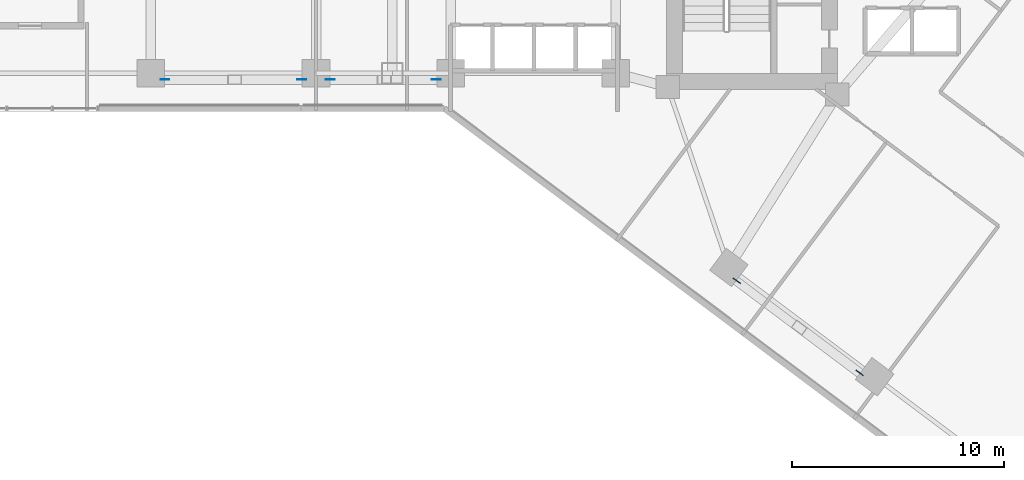
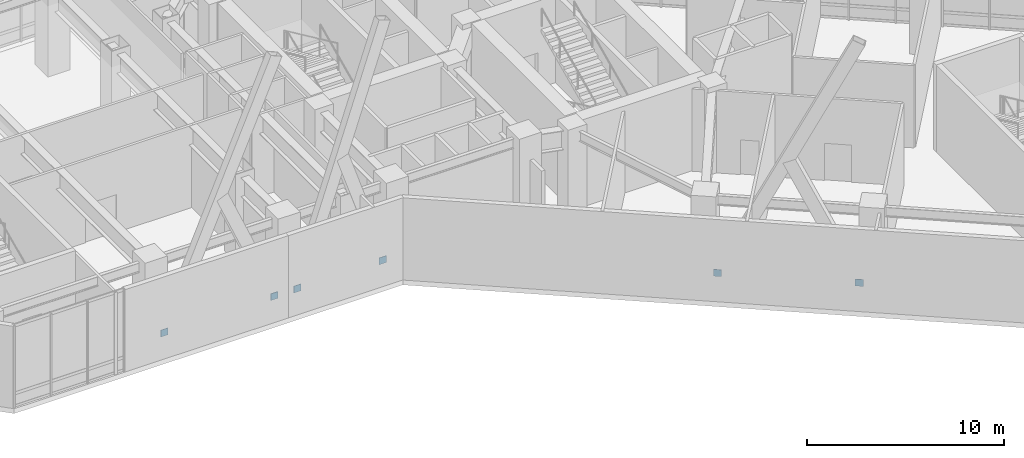
# One storey, part 26 of 35: 6 plates.
"""IFC4 building model written with IfcOpenShell, lengths in metres."""

from ifc_helpers import new_model, si_unit, direction, frame, origin, origin_2d, place, context, subcontext, project, spatial, rectangle, extrude, material, layer, layer_set, type_object, element, save


model = new_model("IFC4")

# Units and contexts
model_context = context("Model", 3, precision=1e-05, world=origin(), true_north=direction((0.0, 1.0)))
body_context = subcontext(model_context, "Body", "Model", "MODEL_VIEW")
ifc_project = project(units=[si_unit("LENGTHUNIT", "METRE"), si_unit("AREAUNIT", "SQUARE_METRE"), si_unit("VOLUMEUNIT", "CUBIC_METRE"), si_unit("PLANEANGLEUNIT", "RADIAN"), si_unit("MASSUNIT", "GRAM", prefix="KILO")], contexts=[model_context])

# Site, building, storey
site_placement = place(None, origin())
site = spatial("IfcSite", under=ifc_project, at=site_placement, CompositionType="ELEMENT")
building_placement = place(site_placement, origin())
building = spatial("IfcBuilding", under=site, at=building_placement, Name="Hatsunagi Terrace Concourse", CompositionType="ELEMENT")
storey_placement = place(building_placement, frame((0.0, 0.0, 5.39990234375)))
storey = spatial("IfcBuildingStorey", under=building, at=storey_placement, Name="L02", CompositionType="ELEMENT", Elevation=5.39990234375)

# Plates
ifc_material = material(Name="Steel SN490C", Category="steel")
ifc_layer = layer(ifc_material, 0.031982421875)
ifc_layer_set = layer_set([ifc_layer], Name="XBraceNodeCapPlate_32")
plate_type = type_object("IfcPlateType", Name="XBraceNodeCapPlate_32", PredefinedType="USERDEFINED", material=ifc_layer_set)
for number, where, z_axis, x_axis, name in (
    (1, (19.875, 24.89990234375, 0.230224609375), (0.0, 0.0, 1.0), (1.0, 0.0, 0.0), "Cast-In Core and Node Embed Plate GP-02 EP-XB-L02-W1-AB"),
    (2, (24.875, 24.89990234375, 0.230224609375), (0.0, 0.0, 1.0), (1.0, 0.0, 0.0), "Cast-In Core and Node Embed Plate GP-02 EP-XB-L02-W1-BB"),
    (3, (12.074951171875, 24.89990234375, 0.230224609375), (0.0, 0.0, 1.0), (1.0, 0.0, 0.0), "Cast-In Core and Node Embed Plate GP-02 EP-XB-L02-W2-AB"),
    (4, (18.52490234375, 24.89990234375, 0.230224609375), (0.0, 0.0, 1.0), (1.0, 0.0, 0.0), "Cast-In Core and Node Embed Plate GP-02 EP-XB-L02-W2-BB"),
    (5, (39.052001953125, 15.410888671875, 0.230224609375), (0.0, 0.0, 1.0), (0.799999996291, -0.600000004945, 0.0), "Cast-In Core and Node Embed Plate GP-02 EP-XB-L02-SE-AB"),
    (6, (44.85205078125, 11.06103515625, 0.230224609375), (0.0, 0.0, 1.0), (0.799999996291, -0.600000004945, 0.0), "Cast-In Core and Node Embed Plate GP-02 EP-XB-L02-SE-BB"),
):
    element("IfcPlate", number, at=place(storey_placement, frame(where, z_axis=z_axis, x_axis=x_axis)), inside=storey, type_object=plate_type, Name=name, ObjectType="GUSSET_PLATE", PredefinedType="USERDEFINED", context=body_context, shape_type="SweptSolid", body=[
        extrude(rectangle(XDim=0.419921875, YDim=0.031982421875, at=origin_2d()), origin(), (0.0, 0.0, 1.0), 0.419921875),
    ])

save(model, "model.ifc")
